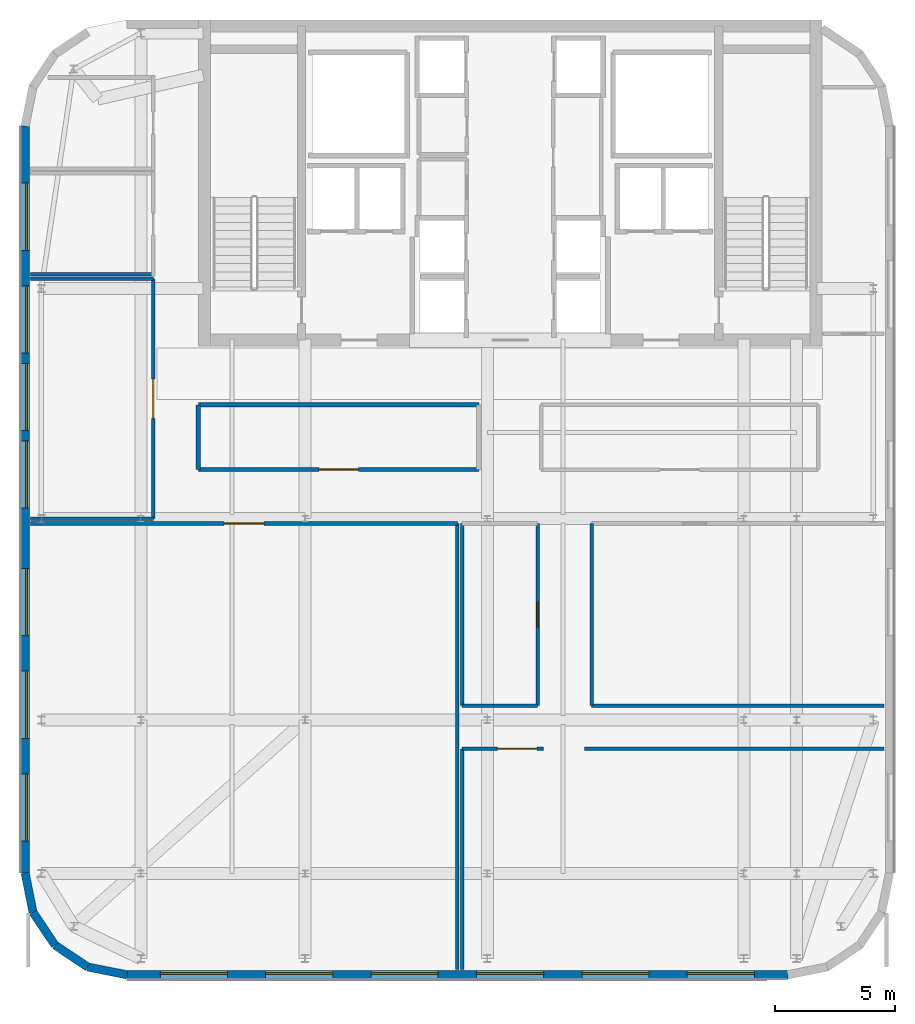
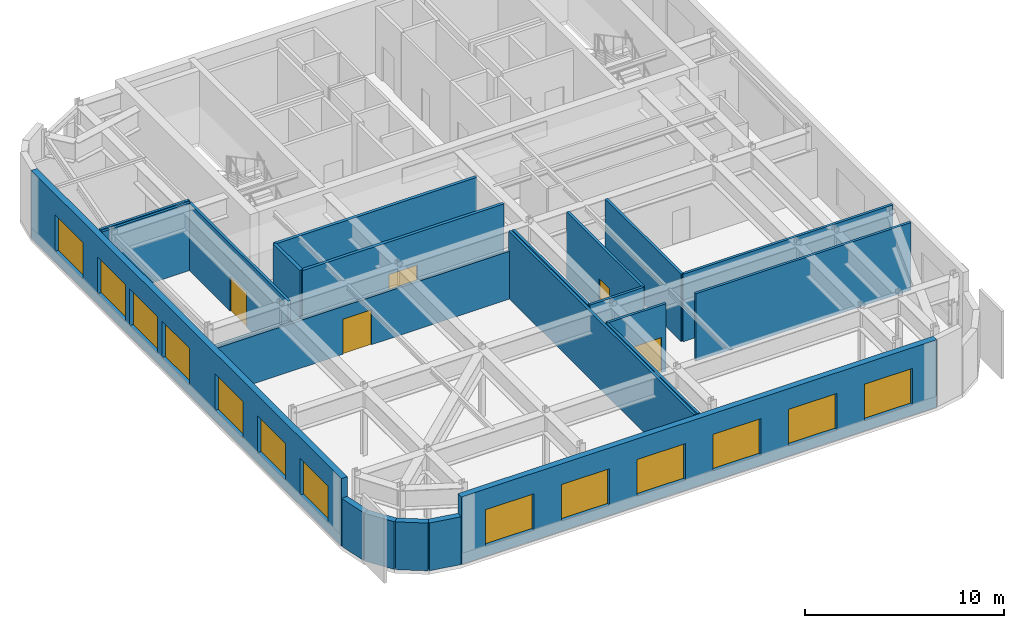
# One storey, part 6 of 13: 23 walls, 13 windows, 5 doors, 18 openings.
"""IFC4 building model written with IfcOpenShell, lengths in metres."""

from ifc_helpers import new_model, si_unit, direction, frame, frame_2d, origin, place, context, subcontext, project, spatial, rectangle, extrude, source, transform, mapped, material, layer, layer_set, type_object, type_shapes, element, fill, save


model = new_model("IFC4")

# Units and contexts
model_context = context("Model", 3, precision=1e-05, world=origin(), true_north=direction((0.0, 1.0)))
body_context = subcontext(model_context, "Body", "Model", "MODEL_VIEW")
ifc_project = project(units=[si_unit("LENGTHUNIT", "METRE"), si_unit("AREAUNIT", "SQUARE_METRE"), si_unit("VOLUMEUNIT", "CUBIC_METRE"), si_unit("PLANEANGLEUNIT", "RADIAN"), si_unit("MASSUNIT", "GRAM", prefix="KILO")], contexts=[model_context])

# Site, building, storey
site_placement = place(None, origin())
site = spatial("IfcSite", under=ifc_project, at=site_placement, CompositionType="ELEMENT")
building_placement = place(site_placement, origin())
building = spatial("IfcBuilding", under=site, at=building_placement, Name="Tolvann Quenvar Hotel", CompositionType="ELEMENT")
storey_placement = place(building_placement, frame((0.0, 0.0, 286.550048828125)))
storey = spatial("IfcBuildingStorey", under=building, at=storey_placement, Name="L76", CompositionType="ELEMENT", Elevation=286.550048828125)

# Walls
ifc_material_1 = material(Name="Kiln-fired red and buff architectural clay brickwork and terracotta masonry", Category="masonry")
ifc_layer_1 = layer(ifc_material_1, 0.35009765625)
ifc_layer_set_1 = layer_set([ifc_layer_1], Name="Kiln-fired red and buff architectural clay brickwork and terracotta masonry")
wall_type_1 = type_object("IfcWallType", Name="WALL_EXT_BRICK_350", PredefinedType="SOLIDWALL", material=ifc_layer_set_1)
for number, where, z_axis, x_axis, name in (
    (1, (3.099609375, 7.984619140625, 0.0), (0.0, 0.0, 1.0), (0.555623290322, -0.831434158098, 0.0), "Exterior Chicago Brick Wall L76-E01"),
    (2, (4.014892578125, 6.614990234375, 0.0), (0.0, 0.0, 1.0), (0.831434158098, -0.555623290322, 0.0), "Exterior Chicago Brick Wall L76-E02"),
):
    element("IfcWall", number, at=place(storey_placement, frame(where, z_axis=z_axis, x_axis=x_axis)), inside=storey, type_object=wall_type_1, Name=name, PredefinedType="SOLIDWALL", context=body_context, shape_type="SweptSolid", body=[
        extrude(rectangle(XDim=1.647216796875, YDim=0.35009765625, at=frame_2d((0.82373046875, 0.0))), origin(), (0.0, 0.0, 1.0), 2.929931640625),
    ])
wall_1_placement = place(storey_placement, frame((5.384521484375, 5.69970703125, 0.0), z_axis=(0.0, 0.0, 1.0), x_axis=(0.980788844421, -0.195072403631, 0.0)))
element("IfcWall", 3, at=wall_1_placement, inside=storey, type_object=wall_type_1, Name="Exterior Chicago Brick Wall L76-E03", PredefinedType="SOLIDWALL", context=body_context, shape_type="SweptSolid", body=[
    extrude(rectangle(XDim=1.66455078125, YDim=0.35009765625, at=frame_2d((0.832275390625, 0.0))), origin(), (0.0, 0.0, 1.0), 2.929931640625),
])

# Wall, openings, windows
wall_2_placement = place(storey_placement, frame((7.01708984375, 5.375, 0.0), z_axis=(0.0, 0.0, 1.0), x_axis=(1.0, 0.0, 0.0)))
wall_2 = element("IfcWall", 4, at=wall_2_placement, inside=storey, type_object=wall_type_1, Name="Exterior Chicago Brick Wall L76-E04", PredefinedType="SOLIDWALL", context=body_context, shape_type="SweptSolid", body=[
    extrude(rectangle(XDim=27.565673828125, YDim=0.35009765625, at=frame_2d((13.78271484375, 0.0))), origin(), (0.0, 0.0, 1.0), 4.139892578125),
])
opening_1_placement = place(wall_2_placement, frame((1.39697265625, 0.0, 0.6201171875)))
opening_1 = element("IfcOpeningElement", 5, at=opening_1_placement, cuts=wall_2, Name="Opening W-07", PredefinedType="OPENING", context=body_context, shape_type="SweptSolid", body=[
    extrude(rectangle(XDim=2.800048828125, YDim=2.25, at=frame_2d((1.39990234375, 1.125))), frame((0.0, 0.18505859375, 0.0), z_axis=(0.0, -1.0, 0.0), x_axis=(1.0, 0.0, 0.0)), (0.0, 0.0, 1.0), 0.3701171875),
])
opening_2_placement = place(wall_2_placement, frame((5.791015625, 0.0, 0.6201171875)))
opening_2 = element("IfcOpeningElement", 6, at=opening_2_placement, cuts=wall_2, Name="Opening W-07", PredefinedType="OPENING", context=body_context, shape_type="SweptSolid", body=[
    extrude(rectangle(XDim=2.800048828125, YDim=2.25, at=frame_2d((1.39990234375, 1.125))), frame((0.0, 0.18505859375, 0.0), z_axis=(0.0, -1.0, 0.0), x_axis=(1.0, 0.0, 0.0)), (0.0, 0.0, 1.0), 0.3701171875),
])
opening_3_placement = place(wall_2_placement, frame((10.18603515625, 0.0, 0.6201171875)))
opening_3 = element("IfcOpeningElement", 7, at=opening_3_placement, cuts=wall_2, Name="Opening W-07", PredefinedType="OPENING", context=body_context, shape_type="SweptSolid", body=[
    extrude(rectangle(XDim=2.800048828125, YDim=2.25, at=frame_2d((1.39990234375, 1.125))), frame((0.0, 0.18505859375, 0.0), z_axis=(0.0, -1.0, 0.0), x_axis=(1.0, 0.0, 0.0)), (0.0, 0.0, 1.0), 0.3701171875),
])
opening_4_placement = place(wall_2_placement, frame((14.580078125, 0.0, 0.6201171875)))
opening_4 = element("IfcOpeningElement", 8, at=opening_4_placement, cuts=wall_2, Name="Opening W-07", PredefinedType="OPENING", context=body_context, shape_type="SweptSolid", body=[
    extrude(rectangle(XDim=2.800048828125, YDim=2.25, at=frame_2d((1.39990234375, 1.125))), frame((0.0, 0.18505859375, 0.0), z_axis=(0.0, -1.0, 0.0), x_axis=(1.0, 0.0, 0.0)), (0.0, 0.0, 1.0), 0.3701171875),
])
opening_5_placement = place(wall_2_placement, frame((18.97412109375, 0.0, 0.6201171875)))
opening_5 = element("IfcOpeningElement", 9, at=opening_5_placement, cuts=wall_2, Name="Opening W-07", PredefinedType="OPENING", context=body_context, shape_type="SweptSolid", body=[
    extrude(rectangle(XDim=2.800048828125, YDim=2.25, at=frame_2d((1.39990234375, 1.125))), frame((0.0, 0.18505859375, 0.0), z_axis=(0.0, -1.0, 0.0), x_axis=(1.0, 0.0, 0.0)), (0.0, 0.0, 1.0), 0.3701171875),
])
opening_6_placement = place(wall_2_placement, frame((23.367919921875, 0.0, 0.6201171875)))
opening_6 = element("IfcOpeningElement", 10, at=opening_6_placement, cuts=wall_2, Name="Opening W-07", PredefinedType="OPENING", context=body_context, shape_type="SweptSolid", body=[
    extrude(rectangle(XDim=2.800048828125, YDim=2.25, at=frame_2d((1.39990234375, 1.125))), frame((0.0, 0.18505859375, 0.0), z_axis=(0.0, -1.0, 0.0), x_axis=(1.0, 0.0, 0.0)), (0.0, 0.0, 1.0), 0.3701171875),
])
ifc_material_2 = material(Name="Thermally broken bronze-anodised aluminium frame with double low-E glazing", Category="aluminium")
window_type = type_object("IfcWindowType", Name="WIN_OBS_2800x2350", PartitioningType="TRIPLE_PANEL_HORIZONTAL", PredefinedType="WINDOW", material=ifc_material_2)
shared_shape_1 = source(origin(), body_context, "Body", "SweptSolid", [
    extrude(rectangle(XDim=2.800048828125, YDim=2.25, at=frame_2d((1.39990234375, 1.125))), frame((0.0, 0.090087890625, 0.0), z_axis=(0.0, -1.0, 0.0), x_axis=(1.0, 0.0, 0.0)), (0.0, 0.0, 1.0), 0.06005859375),
])
type_shapes(window_type, [shared_shape_1])
window_1_placement = place(opening_1_placement, origin())
window_1 = element("IfcWindow", 11, at=window_1_placement, inside=storey, type_object=window_type, Name="Chicago Window W-07 (EW-L76-E04-W01)", OverallHeight=2.25, OverallWidth=2.800048828125, PartitioningType="TRIPLE_PANEL_HORIZONTAL", PredefinedType="WINDOW", context=body_context, shape_type="MappedRepresentation", body=[
    mapped(shared_shape_1, transform((0.0, 0.0, 0.0), x_axis=(1.0, 0.0, 0.0), y_axis=(0.0, 1.0, 0.0), z_axis=(0.0, 0.0, 1.0), scale=1.0)),
])
fill(opening_1, window_1)
window_2_placement = place(opening_2_placement, origin())
window_2 = element("IfcWindow", 12, at=window_2_placement, inside=storey, type_object=window_type, Name="Chicago Window W-07 (EW-L76-E04-W02)", OverallHeight=2.25, OverallWidth=2.800048828125, PartitioningType="TRIPLE_PANEL_HORIZONTAL", PredefinedType="WINDOW", context=body_context, shape_type="MappedRepresentation", body=[
    mapped(shared_shape_1, transform((0.0, 0.0, 0.0), x_axis=(1.0, 0.0, 0.0), y_axis=(0.0, 1.0, 0.0), z_axis=(0.0, 0.0, 1.0), scale=1.0)),
])
fill(opening_2, window_2)
window_3_placement = place(opening_3_placement, origin())
window_3 = element("IfcWindow", 13, at=window_3_placement, inside=storey, type_object=window_type, Name="Chicago Window W-07 (EW-L76-E04-W03)", OverallHeight=2.25, OverallWidth=2.800048828125, PartitioningType="TRIPLE_PANEL_HORIZONTAL", PredefinedType="WINDOW", context=body_context, shape_type="MappedRepresentation", body=[
    mapped(shared_shape_1, transform((0.0, 0.0, 0.0), x_axis=(1.0, 0.0, 0.0), y_axis=(0.0, 1.0, 0.0), z_axis=(0.0, 0.0, 1.0), scale=1.0)),
])
fill(opening_3, window_3)
window_4_placement = place(opening_4_placement, origin())
window_4 = element("IfcWindow", 14, at=window_4_placement, inside=storey, type_object=window_type, Name="Chicago Window W-07 (EW-L76-E04-W04)", OverallHeight=2.25, OverallWidth=2.800048828125, PartitioningType="TRIPLE_PANEL_HORIZONTAL", PredefinedType="WINDOW", context=body_context, shape_type="MappedRepresentation", body=[
    mapped(shared_shape_1, transform((0.0, 0.0, 0.0), x_axis=(1.0, 0.0, 0.0), y_axis=(0.0, 1.0, 0.0), z_axis=(0.0, 0.0, 1.0), scale=1.0)),
])
fill(opening_4, window_4)
window_5_placement = place(opening_5_placement, origin())
window_5 = element("IfcWindow", 15, at=window_5_placement, inside=storey, type_object=window_type, Name="Chicago Window W-07 (EW-L76-E04-W05)", OverallHeight=2.25, OverallWidth=2.800048828125, PartitioningType="TRIPLE_PANEL_HORIZONTAL", PredefinedType="WINDOW", context=body_context, shape_type="MappedRepresentation", body=[
    mapped(shared_shape_1, transform((0.0, 0.0, 0.0), x_axis=(1.0, 0.0, 0.0), y_axis=(0.0, 1.0, 0.0), z_axis=(0.0, 0.0, 1.0), scale=1.0)),
])
fill(opening_5, window_5)
window_6_placement = place(opening_6_placement, origin())
window_6 = element("IfcWindow", 16, at=window_6_placement, inside=storey, type_object=window_type, Name="Chicago Window W-07 (EW-L76-E04-W06)", OverallHeight=2.25, OverallWidth=2.800048828125, PartitioningType="TRIPLE_PANEL_HORIZONTAL", PredefinedType="WINDOW", context=body_context, shape_type="MappedRepresentation", body=[
    mapped(shared_shape_1, transform((0.0, 0.0, 0.0), x_axis=(1.0, 0.0, 0.0), y_axis=(0.0, 1.0, 0.0), z_axis=(0.0, 0.0, 1.0), scale=1.0)),
])
fill(opening_6, window_6)

wall_3_placement = place(storey_placement, frame((2.77490234375, 40.78271484375, 0.0), z_axis=(0.0, 0.0, 1.0), x_axis=(0.0, -1.0, 0.0)))
wall_3 = element("IfcWall", 17, at=wall_3_placement, inside=storey, type_object=wall_type_1, Name="Exterior Chicago Brick Wall L76-E19", PredefinedType="SOLIDWALL", context=body_context, shape_type="SweptSolid", body=[
    extrude(rectangle(XDim=31.16552734375, YDim=0.35009765625, at=frame_2d((15.582763671875, 0.0))), origin(), (0.0, 0.0, 1.0), 4.139892578125),
])
opening_7_placement = place(wall_3_placement, frame((2.389892578125, 0.0, 0.6201171875)))
opening_7 = element("IfcOpeningElement", 18, at=opening_7_placement, cuts=wall_3, Name="Opening W-07", PredefinedType="OPENING", context=body_context, shape_type="SweptSolid", body=[
    extrude(rectangle(XDim=2.800048828125, YDim=2.25, at=frame_2d((1.39990234375, 1.125))), frame((0.0, 0.18505859375, 0.0), z_axis=(0.0, -1.0, 0.0), x_axis=(1.0, 0.0, 0.0)), (0.0, 0.0, 1.0), 0.3701171875),
])
opening_8_placement = place(wall_3_placement, frame((6.6708984375, 0.0, 0.6201171875)))
opening_8 = element("IfcOpeningElement", 19, at=opening_8_placement, cuts=wall_3, Name="Opening W-07", PredefinedType="OPENING", context=body_context, shape_type="SweptSolid", body=[
    extrude(rectangle(XDim=2.800048828125, YDim=2.25, at=frame_2d((1.39990234375, 1.125))), frame((0.0, 0.18505859375, 0.0), z_axis=(0.0, -1.0, 0.0), x_axis=(1.0, 0.0, 0.0)), (0.0, 0.0, 1.0), 0.3701171875),
])
opening_9_placement = place(wall_3_placement, frame((9.902099609375, 0.0, 0.6201171875)))
opening_9 = element("IfcOpeningElement", 20, at=opening_9_placement, cuts=wall_3, Name="Opening W-07", PredefinedType="OPENING", context=body_context, shape_type="SweptSolid", body=[
    extrude(rectangle(XDim=2.800048828125, YDim=2.25, at=frame_2d((1.39990234375, 1.125))), frame((0.0, 0.18505859375, 0.0), z_axis=(0.0, -1.0, 0.0), x_axis=(1.0, 0.0, 0.0)), (0.0, 0.0, 1.0), 0.3701171875),
])
opening_10_placement = place(wall_3_placement, frame((13.133056640625, 0.0, 0.6201171875)))
opening_10 = element("IfcOpeningElement", 21, at=opening_10_placement, cuts=wall_3, Name="Opening W-07", PredefinedType="OPENING", context=body_context, shape_type="SweptSolid", body=[
    extrude(rectangle(XDim=2.800048828125, YDim=2.25, at=frame_2d((1.39990234375, 1.125))), frame((0.0, 0.18505859375, 0.0), z_axis=(0.0, -1.0, 0.0), x_axis=(1.0, 0.0, 0.0)), (0.0, 0.0, 1.0), 0.3701171875),
])
opening_11_placement = place(wall_3_placement, frame((18.464111328125, 0.0, 0.6201171875)))
opening_11 = element("IfcOpeningElement", 22, at=opening_11_placement, cuts=wall_3, Name="Opening W-07", PredefinedType="OPENING", context=body_context, shape_type="SweptSolid", body=[
    extrude(rectangle(XDim=2.800048828125, YDim=2.25, at=frame_2d((1.39990234375, 1.125))), frame((0.0, 0.18505859375, 0.0), z_axis=(0.0, -1.0, 0.0), x_axis=(1.0, 0.0, 0.0)), (0.0, 0.0, 1.0), 0.3701171875),
])
opening_12_placement = place(wall_3_placement, frame((22.743896484375, 0.0, 0.6201171875)))
opening_12 = element("IfcOpeningElement", 23, at=opening_12_placement, cuts=wall_3, Name="Opening W-07", PredefinedType="OPENING", context=body_context, shape_type="SweptSolid", body=[
    extrude(rectangle(XDim=2.800048828125, YDim=2.25, at=frame_2d((1.39990234375, 1.125))), frame((0.0, 0.18505859375, 0.0), z_axis=(0.0, -1.0, 0.0), x_axis=(1.0, 0.0, 0.0)), (0.0, 0.0, 1.0), 0.3701171875),
])
opening_13_placement = place(wall_3_placement, frame((27.02490234375, 0.0, 0.6201171875)))
opening_13 = element("IfcOpeningElement", 24, at=opening_13_placement, cuts=wall_3, Name="Opening W-07", PredefinedType="OPENING", context=body_context, shape_type="SweptSolid", body=[
    extrude(rectangle(XDim=2.800048828125, YDim=2.25, at=frame_2d((1.39990234375, 1.125))), frame((0.0, 0.18505859375, 0.0), z_axis=(0.0, -1.0, 0.0), x_axis=(1.0, 0.0, 0.0)), (0.0, 0.0, 1.0), 0.3701171875),
])
window_7_placement = place(opening_7_placement, origin())
window_7 = element("IfcWindow", 25, at=window_7_placement, inside=storey, type_object=window_type, Name="Chicago Window W-07 (EW-L76-E19-W01)", OverallHeight=2.25, OverallWidth=2.800048828125, PartitioningType="TRIPLE_PANEL_HORIZONTAL", PredefinedType="WINDOW", context=body_context, shape_type="MappedRepresentation", body=[
    mapped(shared_shape_1, transform((0.0, 0.0, 0.0), x_axis=(1.0, 0.0, 0.0), y_axis=(0.0, 1.0, 0.0), z_axis=(0.0, 0.0, 1.0), scale=1.0)),
])
fill(opening_7, window_7)
window_8_placement = place(opening_8_placement, origin())
window_8 = element("IfcWindow", 26, at=window_8_placement, inside=storey, type_object=window_type, Name="Chicago Window W-07 (EW-L76-E19-W02)", OverallHeight=2.25, OverallWidth=2.800048828125, PartitioningType="TRIPLE_PANEL_HORIZONTAL", PredefinedType="WINDOW", context=body_context, shape_type="MappedRepresentation", body=[
    mapped(shared_shape_1, transform((0.0, 0.0, 0.0), x_axis=(1.0, 0.0, 0.0), y_axis=(0.0, 1.0, 0.0), z_axis=(0.0, 0.0, 1.0), scale=1.0)),
])
fill(opening_8, window_8)
window_9_placement = place(opening_9_placement, origin())
window_9 = element("IfcWindow", 27, at=window_9_placement, inside=storey, type_object=window_type, Name="Chicago Window W-07 (EW-L76-E19-W03)", OverallHeight=2.25, OverallWidth=2.800048828125, PartitioningType="TRIPLE_PANEL_HORIZONTAL", PredefinedType="WINDOW", context=body_context, shape_type="MappedRepresentation", body=[
    mapped(shared_shape_1, transform((0.0, 0.0, 0.0), x_axis=(1.0, 0.0, 0.0), y_axis=(0.0, 1.0, 0.0), z_axis=(0.0, 0.0, 1.0), scale=1.0)),
])
fill(opening_9, window_9)
window_10_placement = place(opening_10_placement, origin())
window_10 = element("IfcWindow", 28, at=window_10_placement, inside=storey, type_object=window_type, Name="Chicago Window W-07 (EW-L76-E19-W04)", OverallHeight=2.25, OverallWidth=2.800048828125, PartitioningType="TRIPLE_PANEL_HORIZONTAL", PredefinedType="WINDOW", context=body_context, shape_type="MappedRepresentation", body=[
    mapped(shared_shape_1, transform((0.0, 0.0, 0.0), x_axis=(1.0, 0.0, 0.0), y_axis=(0.0, 1.0, 0.0), z_axis=(0.0, 0.0, 1.0), scale=1.0)),
])
fill(opening_10, window_10)
window_11_placement = place(opening_11_placement, origin())
window_11 = element("IfcWindow", 29, at=window_11_placement, inside=storey, type_object=window_type, Name="Chicago Window W-07 (EW-L76-E19-W05)", OverallHeight=2.25, OverallWidth=2.800048828125, PartitioningType="TRIPLE_PANEL_HORIZONTAL", PredefinedType="WINDOW", context=body_context, shape_type="MappedRepresentation", body=[
    mapped(shared_shape_1, transform((0.0, 0.0, 0.0), x_axis=(1.0, 0.0, 0.0), y_axis=(0.0, 1.0, 0.0), z_axis=(0.0, 0.0, 1.0), scale=1.0)),
])
fill(opening_11, window_11)
window_12_placement = place(opening_12_placement, origin())
window_12 = element("IfcWindow", 30, at=window_12_placement, inside=storey, type_object=window_type, Name="Chicago Window W-07 (EW-L76-E19-W06)", OverallHeight=2.25, OverallWidth=2.800048828125, PartitioningType="TRIPLE_PANEL_HORIZONTAL", PredefinedType="WINDOW", context=body_context, shape_type="MappedRepresentation", body=[
    mapped(shared_shape_1, transform((0.0, 0.0, 0.0), x_axis=(1.0, 0.0, 0.0), y_axis=(0.0, 1.0, 0.0), z_axis=(0.0, 0.0, 1.0), scale=1.0)),
])
fill(opening_12, window_12)
window_13_placement = place(opening_13_placement, origin())
window_13 = element("IfcWindow", 31, at=window_13_placement, inside=storey, type_object=window_type, Name="Chicago Window W-07 (EW-L76-E19-W07)", OverallHeight=2.25, OverallWidth=2.800048828125, PartitioningType="TRIPLE_PANEL_HORIZONTAL", PredefinedType="WINDOW", context=body_context, shape_type="MappedRepresentation", body=[
    mapped(shared_shape_1, transform((0.0, 0.0, 0.0), x_axis=(1.0, 0.0, 0.0), y_axis=(0.0, 1.0, 0.0), z_axis=(0.0, 0.0, 1.0), scale=1.0)),
])
fill(opening_13, window_13)

# Wall
wall_4_placement = place(storey_placement, frame((2.77490234375, 9.6171875, 0.0), z_axis=(0.0, 0.0, 1.0), x_axis=(0.195072403631, -0.980788844421, 0.0)))
element("IfcWall", 32, at=wall_4_placement, inside=storey, type_object=wall_type_1, Name="Exterior Chicago Brick Wall L76-E20", PredefinedType="SOLIDWALL", context=body_context, shape_type="SweptSolid", body=[
    extrude(rectangle(XDim=1.66455078125, YDim=0.35009765625, at=frame_2d((0.832275390625, 0.0))), origin(), (0.0, 0.0, 1.0), 2.929931640625),
])

# Wall, opening, door
ifc_material_3 = material(Name="Acoustic twin-stud fire-rated gypsum plasterboard partition")
ifc_layer_2 = layer(ifc_material_3, 0.179931640625)
ifc_layer_set_2 = layer_set([ifc_layer_2], Name="Acoustic twin-stud fire-rated gypsum plasterboard partition")
wall_type_2 = type_object("IfcWallType", Name="WALL_PART_ACOUSTIC_180", PredefinedType="PARTITIONING", material=ifc_layer_set_2)
wall_5_placement = place(storey_placement, frame((10.0, 26.449951171875, 0.0), z_axis=(0.0, 0.0, 1.0), x_axis=(1.0, 0.0, 0.0)))
wall_5 = element("IfcWall", 33, at=wall_5_placement, inside=storey, type_object=wall_type_2, Name="Interior Partition PT-SPC-L76-SOMM-S", PredefinedType="PARTITIONING", context=body_context, shape_type="SweptSolid", body=[
    extrude(rectangle(XDim=11.699951171875, YDim=0.179931640625, at=frame_2d((5.85009765625, 0.0))), origin(), (0.0, 0.0, 1.0), 4.139892578125),
])
opening_14_placement = place(wall_5_placement, frame((5.02490234375, 0.0, 0.0)))
opening_14 = element("IfcOpeningElement", 34, at=opening_14_placement, cuts=wall_5, Name="Opening AD-01", PredefinedType="OPENING", context=body_context, shape_type="SweptSolid", body=[
    extrude(rectangle(XDim=1.64990234375, YDim=2.14990234375, at=frame_2d((0.824951171875, 1.074951171875))), frame((0.0, 0.10009765625, 0.0), z_axis=(0.0, -1.0, 0.0), x_axis=(1.0, 0.0, 0.0)), (0.0, 0.0, 1.0), 0.199951171875),
])
ifc_material_4 = material(Name="Solid-core American oak acoustic fire door leaf in steel frame", Category="steel")
door_type_1 = type_object("IfcDoorType", Name="DOOR_SALON_1650", OperationType="NOTDEFINED", PredefinedType="DOOR", material=ifc_material_4)
shared_shape_2 = source(origin(), body_context, "Body", "SweptSolid", [
    extrude(rectangle(XDim=1.64990234375, YDim=2.14990234375, at=frame_2d((0.824951171875, 1.074951171875))), frame((0.0, 0.02490234375, 0.0), z_axis=(0.0, -1.0, 0.0), x_axis=(1.0, 0.0, 0.0)), (0.0, 0.0, 1.0), 0.050048828125),
])
type_shapes(door_type_1, [shared_shape_2])
door_1_placement = place(opening_14_placement, origin())
door_1 = element("IfcDoor", 35, at=door_1_placement, inside=storey, type_object=door_type_1, Name="Interior Door DOOR-SPC-L76-SOMM", OperationType="DOUBLE_DOOR_SINGLE_SWING", OverallHeight=2.14990234375, OverallWidth=1.64990234375, PredefinedType="DOOR", context=body_context, shape_type="MappedRepresentation", body=[
    mapped(shared_shape_2, transform((0.0, 0.0, 0.0), x_axis=(1.0, 0.0, 0.0), y_axis=(0.0, 1.0, 0.0), z_axis=(0.0, 0.0, 1.0), scale=1.0)),
])
fill(opening_14, door_1)

# Walls
wall_6_placement = place(storey_placement, frame((10.0, 29.14990234375, 0.0), z_axis=(0.0, 0.0, 1.0), x_axis=(1.0, 0.0, 0.0)))
element("IfcWall", 36, at=wall_6_placement, inside=storey, type_object=wall_type_2, Name="Interior Partition PT-SPC-L76-SOMM-N", PredefinedType="PARTITIONING", context=body_context, shape_type="SweptSolid", body=[
    extrude(rectangle(XDim=11.699951171875, YDim=0.179931640625, at=frame_2d((5.85009765625, 0.0))), origin(), (0.0, 0.0, 1.0), 4.139892578125),
])
wall_7_placement = place(storey_placement, frame((10.0, 26.449951171875, 0.0), z_axis=(0.0, 0.0, 1.0), x_axis=(0.0, 1.0, 0.0)))
element("IfcWall", 37, at=wall_7_placement, inside=storey, type_object=wall_type_2, Name="Interior Partition PT-SPC-L76-SOMM-W", PredefinedType="PARTITIONING", context=body_context, shape_type="SweptSolid", body=[
    extrude(rectangle(XDim=2.699951171875, YDim=0.179931640625, at=frame_2d((1.35009765625, 0.0))), origin(), (0.0, 0.0, 1.0), 4.139892578125),
])

# Wall, opening, door
ifc_layer_3 = layer(ifc_material_3, 0.14990234375)
ifc_layer_set_3 = layer_set([ifc_layer_3], Name="Acoustic twin-stud fire-rated gypsum plasterboard partition")
wall_type_3 = type_object("IfcWallType", Name="WALL_PART_SUITE_150", PredefinedType="PARTITIONING", material=ifc_layer_set_3)
wall_8_placement = place(storey_placement, frame((3.0048828125, 24.199951171875, 0.0), z_axis=(0.0, 0.0, 1.0), x_axis=(1.0, 0.0, 0.0)))
wall_8 = element("IfcWall", 38, at=wall_8_placement, inside=storey, type_object=wall_type_3, Name="Interior Partition PT-SPC-L76-DIN-N", PredefinedType="PARTITIONING", context=body_context, shape_type="SweptSolid", body=[
    extrude(rectangle(XDim=17.795166015625, YDim=0.14990234375, at=frame_2d((8.8974609375, 0.0))), origin(), (0.0, 0.0, 1.0), 2.929931640625),
])
opening_15_placement = place(wall_8_placement, frame((8.072509765625, 0.0, 0.0)))
opening_15 = element("IfcOpeningElement", 39, at=opening_15_placement, cuts=wall_8, Name="Opening AD-01", PredefinedType="OPENING", context=body_context, shape_type="SweptSolid", body=[
    extrude(rectangle(XDim=1.64990234375, YDim=2.14990234375, at=frame_2d((0.824951171875, 1.074951171875))), frame((0.0, 0.0849609375, 0.0), z_axis=(0.0, -1.0, 0.0), x_axis=(1.0, 0.0, 0.0)), (0.0, 0.0, 1.0), 0.169921875),
])
door_2_placement = place(opening_15_placement, origin())
door_2 = element("IfcDoor", 40, at=door_2_placement, inside=storey, type_object=door_type_1, Name="Interior Door DOOR-SPC-L76-DIN", OperationType="DOUBLE_DOOR_SINGLE_SWING", OverallHeight=2.14990234375, OverallWidth=1.64990234375, PredefinedType="DOOR", context=body_context, shape_type="MappedRepresentation", body=[
    mapped(shared_shape_2, transform((0.0, 0.0, 0.0), x_axis=(1.0, 0.0, 0.0), y_axis=(0.0, 1.0, 0.0), z_axis=(0.0, 0.0, 1.0), scale=1.0)),
])
fill(opening_15, door_2)

# Wall
wall_9_placement = place(storey_placement, frame((20.800048828125, 5.60498046875, 0.0), z_axis=(0.0, 0.0, 1.0), x_axis=(0.0, 1.0, 0.0)))
element("IfcWall", 41, at=wall_9_placement, inside=storey, type_object=wall_type_3, Name="Interior Partition PT-SPC-L76-DIN-E", PredefinedType="PARTITIONING", context=body_context, shape_type="SweptSolid", body=[
    extrude(rectangle(XDim=18.594970703125, YDim=0.14990234375, at=frame_2d((9.29736328125, 0.0))), origin(), (0.0, 0.0, 1.0), 4.139892578125),
])

# Wall, opening, door
wall_10_placement = place(storey_placement, frame((21.0, 14.800048828125, 0.0), z_axis=(0.0, 0.0, 1.0), x_axis=(1.0, 0.0, 0.0)))
wall_10 = element("IfcWall", 42, at=wall_10_placement, inside=storey, type_object=wall_type_3, Name="Interior Partition PT-SPC-L76-BAR-N", PredefinedType="PARTITIONING", context=body_context, shape_type="SweptSolid", body=[
    extrude(rectangle(XDim=3.389892578125, YDim=0.14990234375, at=frame_2d((1.69482421875, 0.0))), origin(), (0.0, 0.0, 1.0), 4.139892578125),
])
opening_16_placement = place(wall_10_placement, frame((1.469970703125, 0.0, 0.0)))
opening_16 = element("IfcOpeningElement", 43, at=opening_16_placement, cuts=wall_10, Name="Opening AD-01", PredefinedType="OPENING", context=body_context, shape_type="SweptSolid", body=[
    extrude(rectangle(XDim=1.64990234375, YDim=2.14990234375, at=frame_2d((0.824951171875, 1.074951171875))), frame((0.0, 0.0849609375, 0.0), z_axis=(0.0, -1.0, 0.0), x_axis=(1.0, 0.0, 0.0)), (0.0, 0.0, 1.0), 0.169921875),
])
door_3_placement = place(opening_16_placement, origin())
door_3 = element("IfcDoor", 44, at=door_3_placement, inside=storey, type_object=door_type_1, Name="Interior Door DOOR-SPC-L76-BAR", OperationType="DOUBLE_DOOR_SINGLE_SWING", OverallHeight=2.14990234375, OverallWidth=1.64990234375, PredefinedType="DOOR", context=body_context, shape_type="MappedRepresentation", body=[
    mapped(shared_shape_2, transform((0.0, 0.0, 0.0), x_axis=(1.0, 0.0, 0.0), y_axis=(0.0, 1.0, 0.0), z_axis=(0.0, 0.0, 1.0), scale=1.0)),
])
fill(opening_16, door_3)

# Walls
wall_11_placement = place(storey_placement, frame((26.110107421875, 14.800048828125, 0.0), z_axis=(0.0, 0.0, 1.0), x_axis=(1.0, 0.0, 0.0)))
element("IfcWall", 45, at=wall_11_placement, inside=storey, type_object=wall_type_3, Name="Interior Partition PT-SPC-L76-BAR-N1", PredefinedType="PARTITIONING", context=body_context, shape_type="SweptSolid", body=[
    extrude(rectangle(XDim=12.48486328125, YDim=0.14990234375, at=frame_2d((6.242431640625, 0.0))), origin(), (0.0, 0.0, 1.0), 4.139892578125),
])
wall_12_placement = place(storey_placement, frame((21.0, 5.60498046875, 0.0), z_axis=(0.0, 0.0, 1.0), x_axis=(0.0, 1.0, 0.0)))
element("IfcWall", 46, at=wall_12_placement, inside=storey, type_object=wall_type_3, Name="Interior Partition PT-SPC-L76-BAR-W", PredefinedType="PARTITIONING", context=body_context, shape_type="SweptSolid", body=[
    extrude(rectangle(XDim=9.195068359375, YDim=0.14990234375, at=frame_2d((4.59765625, 0.0))), origin(), (0.0, 0.0, 1.0), 4.139892578125),
])
wall_13_placement = place(storey_placement, frame((26.39990234375, 16.60009765625, 0.0), z_axis=(0.0, 0.0, 1.0), x_axis=(1.0, 0.0, 0.0)))
element("IfcWall", 47, at=wall_13_placement, inside=storey, type_object=wall_type_3, Name="Interior Partition PT-SPC-L76-KIT-S", PredefinedType="PARTITIONING", context=body_context, shape_type="SweptSolid", body=[
    extrude(rectangle(XDim=12.195068359375, YDim=0.14990234375, at=frame_2d((6.09765625, 0.0))), origin(), (0.0, 0.0, 1.0), 4.139892578125),
])
wall_14_placement = place(storey_placement, frame((26.39990234375, 16.60009765625, 0.0), z_axis=(0.0, 0.0, 1.0), x_axis=(0.0, 1.0, 0.0)))
element("IfcWall", 48, at=wall_14_placement, inside=storey, type_object=wall_type_3, Name="Interior Partition PT-SPC-L76-KIT-W", PredefinedType="PARTITIONING", context=body_context, shape_type="SweptSolid", body=[
    extrude(rectangle(XDim=7.599853515625, YDim=0.14990234375, at=frame_2d((3.7998046875, 0.0))), origin(), (0.0, 0.0, 1.0), 4.139892578125),
])
wall_15_placement = place(storey_placement, frame((21.0, 16.60009765625, 0.0), z_axis=(0.0, 0.0, 1.0), x_axis=(1.0, 0.0, 0.0)))
element("IfcWall", 49, at=wall_15_placement, inside=storey, type_object=wall_type_3, Name="Interior Partition PT-SPC-L76-VLT-S", PredefinedType="PARTITIONING", context=body_context, shape_type="SweptSolid", body=[
    extrude(rectangle(XDim=3.14990234375, YDim=0.14990234375, at=frame_2d((1.574951171875, 0.0))), origin(), (0.0, 0.0, 1.0), 4.139892578125),
])
wall_16_placement = place(storey_placement, frame((21.0, 16.60009765625, 0.0), z_axis=(0.0, 0.0, 1.0), x_axis=(0.0, 1.0, 0.0)))
element("IfcWall", 50, at=wall_16_placement, inside=storey, type_object=wall_type_3, Name="Interior Partition PT-SPC-L76-VLT-W", PredefinedType="PARTITIONING", context=body_context, shape_type="SweptSolid", body=[
    extrude(rectangle(XDim=7.599853515625, YDim=0.14990234375, at=frame_2d((3.7998046875, 0.0))), origin(), (0.0, 0.0, 1.0), 4.139892578125),
])

# Wall, opening, door
wall_17_placement = place(storey_placement, frame((24.14990234375, 16.60009765625, 0.0), z_axis=(0.0, 0.0, 1.0), x_axis=(0.0, 1.0, 0.0)))
wall_17 = element("IfcWall", 51, at=wall_17_placement, inside=storey, type_object=wall_type_3, Name="Interior Partition PT-SPC-L76-VLT-E", PredefinedType="PARTITIONING", context=body_context, shape_type="SweptSolid", body=[
    extrude(rectangle(XDim=7.599853515625, YDim=0.14990234375, at=frame_2d((3.7998046875, 0.0))), origin(), (0.0, 0.0, 1.0), 4.139892578125),
])
opening_17_placement = place(wall_17_placement, frame((3.2900390625, 0.0, 0.0)))
opening_17 = element("IfcOpeningElement", 52, at=opening_17_placement, cuts=wall_17, Name="Opening HD-01", PredefinedType="OPENING", context=body_context, shape_type="SweptSolid", body=[
    extrude(rectangle(XDim=1.02001953125, YDim=2.030029296875, at=frame_2d((0.510009765625, 1.01513671875))), frame((0.0, 0.0849609375, 0.0), z_axis=(0.0, -1.0, 0.0), x_axis=(1.0, 0.0, 0.0)), (0.0, 0.0, 1.0), 0.169921875),
])
ifc_material_5 = material(Name="Pressed galvanised steel fire-rated door set", Category="steel")
door_type_2 = type_object("IfcDoorType", Name="DOOR_BOH_1020", OperationType="NOTDEFINED", PredefinedType="DOOR", material=ifc_material_5)
shared_shape_3 = source(origin(), body_context, "Body", "SweptSolid", [
    extrude(rectangle(XDim=1.02001953125, YDim=2.030029296875, at=frame_2d((0.510009765625, 1.01513671875))), frame((0.0, 0.02490234375, 0.0), z_axis=(0.0, -1.0, 0.0), x_axis=(1.0, 0.0, 0.0)), (0.0, 0.0, 1.0), 0.050048828125),
])
type_shapes(door_type_2, [shared_shape_3])
door_4_placement = place(opening_17_placement, origin())
door_4 = element("IfcDoor", 53, at=door_4_placement, inside=storey, type_object=door_type_2, Name="Interior Door DOOR-SPC-L76-VLT", OperationType="SINGLE_SWING_RIGHT", OverallHeight=2.030029296875, OverallWidth=1.02001953125, PredefinedType="DOOR", context=body_context, shape_type="MappedRepresentation", body=[
    mapped(shared_shape_3, transform((0.0, 0.0, 0.0), x_axis=(1.0, 0.0, 0.0), y_axis=(0.0, 1.0, 0.0), z_axis=(0.0, 0.0, 1.0), scale=1.0)),
])
fill(opening_17, door_4)

# Walls
wall_18_placement = place(storey_placement, frame((3.0048828125, 24.39990234375, 0.0), z_axis=(0.0, 0.0, 1.0), x_axis=(1.0, 0.0, 0.0)))
element("IfcWall", 54, at=wall_18_placement, inside=storey, type_object=wall_type_3, Name="Interior Partition PT-SPC-L76-PDR-S", PredefinedType="PARTITIONING", context=body_context, shape_type="SweptSolid", body=[
    extrude(rectangle(XDim=5.115234375, YDim=0.14990234375, at=frame_2d((2.5576171875, 0.0))), origin(), (0.0, 0.0, 1.0), 2.929931640625),
])
wall_19_placement = place(storey_placement, frame((3.0048828125, 34.39990234375, 0.0), z_axis=(0.0, 0.0, 1.0), x_axis=(1.0, 0.0, 0.0)))
element("IfcWall", 55, at=wall_19_placement, inside=storey, type_object=wall_type_3, Name="Interior Partition PT-SPC-L76-PDR-N", PredefinedType="PARTITIONING", context=body_context, shape_type="SweptSolid", body=[
    extrude(rectangle(XDim=5.115234375, YDim=0.14990234375, at=frame_2d((2.5576171875, 0.0))), origin(), (0.0, 0.0, 1.0), 4.139892578125),
])

# Wall, opening, door
wall_20_placement = place(storey_placement, frame((8.1201171875, 24.39990234375, 0.0), z_axis=(0.0, 0.0, 1.0), x_axis=(0.0, 1.0, 0.0)))
wall_20 = element("IfcWall", 56, at=wall_20_placement, inside=storey, type_object=wall_type_3, Name="Interior Partition PT-SPC-L76-PDR-E", PredefinedType="PARTITIONING", context=body_context, shape_type="SweptSolid", body=[
    extrude(rectangle(XDim=10.0, YDim=0.14990234375, at=frame_2d((5.0, 0.0))), origin(), (0.0, 0.0, 1.0), 4.139892578125),
])
opening_18_placement = place(wall_20_placement, frame((4.175048828125, 0.0, 0.0)))
opening_18 = element("IfcOpeningElement", 57, at=opening_18_placement, cuts=wall_20, Name="Opening AD-01", PredefinedType="OPENING", context=body_context, shape_type="SweptSolid", body=[
    extrude(rectangle(XDim=1.64990234375, YDim=2.14990234375, at=frame_2d((0.824951171875, 1.074951171875))), frame((0.0, 0.0849609375, 0.0), z_axis=(0.0, -1.0, 0.0), x_axis=(1.0, 0.0, 0.0)), (0.0, 0.0, 1.0), 0.169921875),
])
door_5_placement = place(opening_18_placement, origin())
door_5 = element("IfcDoor", 58, at=door_5_placement, inside=storey, type_object=door_type_1, Name="Interior Door DOOR-SPC-L76-PDR", OperationType="DOUBLE_DOOR_SINGLE_SWING", OverallHeight=2.14990234375, OverallWidth=1.64990234375, PredefinedType="DOOR", context=body_context, shape_type="MappedRepresentation", body=[
    mapped(shared_shape_2, transform((0.0, 0.0, 0.0), x_axis=(1.0, 0.0, 0.0), y_axis=(0.0, 1.0, 0.0), z_axis=(0.0, 0.0, 1.0), scale=1.0)),
])
fill(opening_18, door_5)

# Wall
wall_21_placement = place(storey_placement, frame((3.0048828125, 34.60009765625, 0.0), z_axis=(0.0, 0.0, 1.0), x_axis=(1.0, 0.0, 0.0)))
element("IfcWall", 59, at=wall_21_placement, inside=storey, type_object=wall_type_3, Name="Interior Partition PT-SPC-L76-WC1-S", PredefinedType="PARTITIONING", context=body_context, shape_type="SweptSolid", body=[
    extrude(rectangle(XDim=5.18505859375, YDim=0.14990234375, at=frame_2d((2.592529296875, 0.0))), origin(), (0.0, 0.0, 1.0), 4.139892578125),
])

save(model, "model.ifc")
